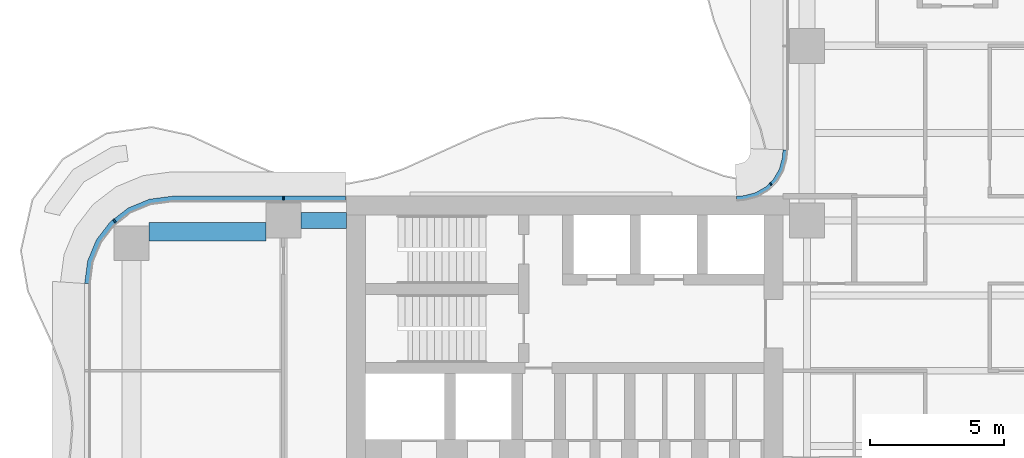
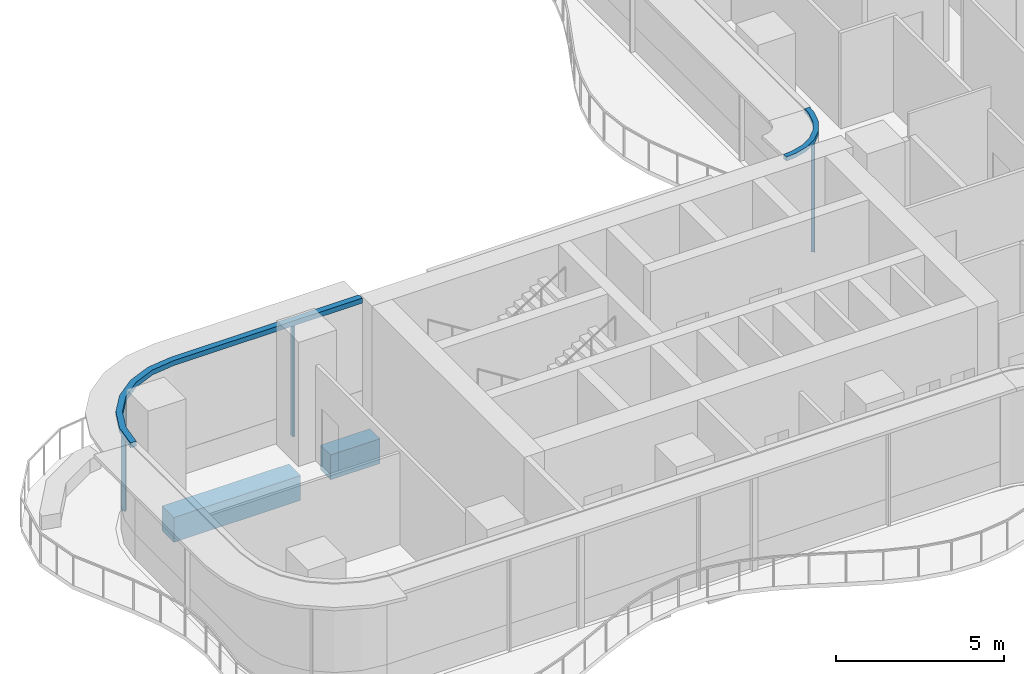
# One storey, part 8 of 21: 5 members, 2 beams, 2 elements without a shape of their own.
"""IFC4 building model written with IfcOpenShell, lengths in metres."""

import ifcopenshell
import ifcopenshell.guid

model = None  # the IFC model being written
_history = None  # IfcOwnerHistory: only IFC2X3 demands one
_inside = {}  # id of a spatial element -> (the spatial element, [elements in it])
_under = {}  # id of a project, library or spatial element -> (it, [spatial elements below it])
_declared = {}  # id of a project -> (the project, [libraries it declares])
_typed = {}  # id of a type object -> (the type object, [elements of that type])
_made_of = {}  # id of a material, layer set ... -> (it, [elements and type objects made of it])


def new_model(schema):
    """Start an empty IFC model of exactly this schema.

    Asked for "IFC4X3", IfcOpenShell would pick the latest addendum, in which some entities
    have other attributes; the version numbers below select the first issue.
    IFC2X3 requires an IfcOwnerHistory on every rooted entity: one is made here for all.
    """
    global model, _history
    if schema == "IFC4X3":
        model = ifcopenshell.file(schema_version=(4, 3, 0, 0))
    else:
        model = ifcopenshell.file(schema=schema)
    _inside.clear()
    _under.clear()
    _declared.clear()
    _typed.clear()
    _made_of.clear()
    _history = None
    if model.schema == "IFC2X3":
        org = make("IfcOrganization", Name="unknown")
        user = make(
            "IfcPersonAndOrganization",
            ThePerson=make("IfcPerson", FamilyName="unknown"),
            TheOrganization=org,
        )
        app = make(
            "IfcApplication",
            ApplicationDeveloper=org,
            Version="unknown",
            ApplicationFullName="unknown",
            ApplicationIdentifier="unknown",
        )
        _history = make(
            "IfcOwnerHistory",
            OwningUser=user,
            OwningApplication=app,
            ChangeAction="ADDED",
            CreationDate=0,
        )
    return model


def make(cls, **values):
    """One entity of the class cls with the attributes given. An attribute that is None is left unset."""
    return model.create_entity(
        cls, **{name: value for name, value in values.items() if value is not None}
    )


def rooted(cls, **values):
    """An entity with a GlobalId (a new one), such as an element, a storey or a relation."""
    return make(cls, GlobalId=ifcopenshell.guid.new(), OwnerHistory=_history, **values)


def si_unit(unit_type, name, prefix=None):
    """IfcSIUnit, for example si_unit("LENGTHUNIT", "METRE", prefix="MILLI")."""
    return make("IfcSIUnit", UnitType=unit_type, Prefix=prefix, Name=name)


def assignment(units):
    """IfcUnitAssignment: the units of a project."""
    return None if units is None else make("IfcUnitAssignment", Units=units)


def point(xyz):
    """IfcCartesianPoint."""
    return None if xyz is None else make("IfcCartesianPoint", Coordinates=xyz)


def direction(xyz):
    """IfcDirection."""
    return None if xyz is None else make("IfcDirection", DirectionRatios=xyz)


def frame(location, z_axis=None, x_axis=None):
    """IfcAxis2Placement3D, a coordinate frame: its origin and axes. An axis left out is left unset."""
    return make(
        "IfcAxis2Placement3D",
        Location=point(location),
        Axis=direction(z_axis),
        RefDirection=direction(x_axis),
    )


def frame_2d(location, x_axis=None):
    """IfcAxis2Placement2D, a coordinate frame in the plane: its origin and x axis."""
    return make(
        "IfcAxis2Placement2D", Location=point(location), RefDirection=direction(x_axis)
    )


def origin():
    """The frame at (0, 0, 0) with its axes left unset."""
    return frame((0.0, 0.0, 0.0))


def origin_2d():
    """The frame at (0, 0) in the plane with its x axis left unset."""
    return frame_2d((0.0, 0.0))


def place(relative_to, where):
    """IfcLocalPlacement: puts the frame where relative to a parent placement (None: the world)."""
    return make(
        "IfcLocalPlacement", PlacementRelTo=relative_to, RelativePlacement=where
    )


def context(
    kind, dimensions, precision=None, world=None, true_north=None, identifier=None
):
    """IfcGeometricRepresentationContext, for example the 3D "Model" context."""
    return make(
        "IfcGeometricRepresentationContext",
        ContextIdentifier=identifier,
        ContextType=kind,
        CoordinateSpaceDimension=dimensions,
        Precision=precision,
        WorldCoordinateSystem=world,
        TrueNorth=true_north,
    )


def subcontext(parent, identifier, kind, view, scale=None):
    """IfcGeometricRepresentationSubContext, for example "Body" below "Model"."""
    return make(
        "IfcGeometricRepresentationSubContext",
        ContextIdentifier=identifier,
        ContextType=kind,
        ParentContext=parent,
        TargetScale=scale,
        TargetView=view,
    )


def project(units=None, contexts=None):
    """IfcProject with its units and contexts."""
    return rooted(
        "IfcProject",
        Name="project",
        RepresentationContexts=contexts,
        UnitsInContext=assignment(units),
    )


def spatial(cls, under=None, at=None, **own):
    """A site, building, storey or space (cls), placed at a placement, below another one or the project."""
    s = rooted(cls, ObjectPlacement=at, **own)
    if under is not None:
        _under.setdefault(under.id(), (under, []))[1].append(s)
    return s


def polyline(points):
    """IfcPolyline through the points."""
    return make("IfcPolyline", Points=[point(p) for p in points])


def profile(cls, at=None, kind="AREA", **sizes):
    """A parametric profile (cls). Its sizes go by their IFC names, for example OverallWidth=200.0."""
    return make(cls, ProfileType=kind, Position=at, **sizes)


def rectangle(**sizes):
    """IfcRectangleProfileDef."""
    return profile("IfcRectangleProfileDef", **sizes)


def outline(outer, holes=None, kind="AREA"):
    """IfcArbitraryClosedProfileDef: a profile drawn as a closed curve; with holes, ...WithVoids."""
    if holes is None:
        return make("IfcArbitraryClosedProfileDef", ProfileType=kind, OuterCurve=outer)
    return make(
        "IfcArbitraryProfileDefWithVoids",
        ProfileType=kind,
        OuterCurve=outer,
        InnerCurves=holes,
    )


def extrude(swept, where, along, depth):
    """IfcExtrudedAreaSolid: the profile swept, set in the frame where, extruded along a direction by depth."""
    return make(
        "IfcExtrudedAreaSolid",
        SweptArea=swept,
        Position=where,
        ExtrudedDirection=direction(along),
        Depth=depth,
    )


def shape(context_of_items, identifier, shape_type, items):
    """IfcShapeRepresentation: the items that make up one representation, for example the "Body"."""
    return make(
        "IfcShapeRepresentation",
        ContextOfItems=context_of_items,
        RepresentationIdentifier=identifier,
        RepresentationType=shape_type,
        Items=items,
    )


def source(mapping_origin, context_of_items, identifier, shape_type, items):
    """IfcRepresentationMap: a shape defined once, which mapped items show again and again."""
    return make(
        "IfcRepresentationMap",
        MappingOrigin=mapping_origin,
        MappedRepresentation=shape(context_of_items, identifier, shape_type, items),
    )


def transform(
    local_origin,
    x_axis=None,
    y_axis=None,
    z_axis=None,
    scale=None,
    scale2=None,
    scale3=None,
    uniform=True,
):
    """IfcCartesianTransformationOperator3D, or its non-uniform kind. x_axis, y_axis, z_axis: its Axis1, 2, 3."""
    if uniform:
        return make(
            "IfcCartesianTransformationOperator3D",
            Axis1=direction(x_axis),
            Axis2=direction(y_axis),
            LocalOrigin=point(local_origin),
            Scale=scale,
            Axis3=direction(z_axis),
        )
    return make(
        "IfcCartesianTransformationOperator3DnonUniform",
        Axis1=direction(x_axis),
        Axis2=direction(y_axis),
        LocalOrigin=point(local_origin),
        Scale=scale,
        Axis3=direction(z_axis),
        Scale2=scale2,
        Scale3=scale3,
    )


def mapped(mapping_source, mapping_target):
    """IfcMappedItem: shows the shape of a source again, moved by a transform."""
    return make(
        "IfcMappedItem", MappingSource=mapping_source, MappingTarget=mapping_target
    )


def material(Name=None, Category=None):
    """IfcMaterial."""
    return make("IfcMaterial", Name=Name, Category=Category)


def layer(
    of_material, thickness, ventilated=None, Name=None, Category=None, Priority=None
):
    """IfcMaterialLayer: one layer of a wall or slab, of a material (None: an air gap)."""
    return make(
        "IfcMaterialLayer",
        Material=of_material,
        LayerThickness=thickness,
        IsVentilated=ventilated,
        Name=Name,
        Category=Category,
        Priority=Priority,
    )


def layer_set(layers, Name=None):
    """IfcMaterialLayerSet."""
    return make("IfcMaterialLayerSet", MaterialLayers=layers, LayerSetName=Name)


def material_profile(
    of_material, cross_section, Name=None, Category=None, Priority=None
):
    """IfcMaterialProfile: a cross section and its material."""
    return make(
        "IfcMaterialProfile",
        Name=Name,
        Material=of_material,
        Profile=cross_section,
        Priority=Priority,
        Category=Category,
    )


def profile_set(profiles, Name=None, composite=None):
    """IfcMaterialProfileSet."""
    return make(
        "IfcMaterialProfileSet",
        Name=Name,
        MaterialProfiles=profiles,
        CompositeProfile=composite,
    )


def made_of(thing, what):
    """Note that an element or type object is made of a material, layer set ...; save() writes the relation."""
    if what is not None:
        _made_of.setdefault(what.id(), (what, []))[1].append(thing)
    return thing


def type_object(cls, material=None, **own):
    """A type object (cls), such as IfcWallType, which elements share."""
    return made_of(rooted(cls, **own), material)


def element(
    cls,
    number,
    at=None,
    inside=None,
    cuts=None,
    type_object=None,
    material=None,
    context=None,
    identifier="Body",
    shape_type=None,
    held_by="IfcProductDefinitionShape",
    body=None,
    shapes=None,
    **own,
):
    """One element of the class cls, such as IfcWall. Its Tag is "e" and its number.

    at: its placement. inside: the storey or other place that contains it. cuts: it is an
    opening in that element (IfcRelVoidsElement). A single representation is given by context,
    identifier, shape_type and body (its items); several are given by shapes. held_by: the class
    of the entity that holds the representations. save() writes the other relations.
    """
    e = rooted(cls, Tag="e%d" % number, ObjectPlacement=at, **own)
    if body is not None:
        shapes = [shape(context, identifier, shape_type, body)]
    if shapes is not None:
        e.Representation = make(held_by, Representations=shapes)
    if inside is not None:
        _inside.setdefault(inside.id(), (inside, []))[1].append(e)
    if cuts is not None:
        rooted(
            "IfcRelVoidsElement", RelatingBuildingElement=cuts, RelatedOpeningElement=e
        )
    if type_object is not None:
        _typed.setdefault(type_object.id(), (type_object, []))[1].append(e)
    return made_of(e, material)


def aggregate(whole, parts):
    """IfcRelAggregates: a whole, such as a stair, and the parts it consists of."""
    return rooted("IfcRelAggregates", RelatingObject=whole, RelatedObjects=parts)


def save(model, path):
    """Write the relations noted so far, then the file.

    IfcRelAggregates (storeys below a building ...), IfcRelContainedInSpatialStructure (elements
    in a storey), IfcRelDefinesByType, IfcRelAssociatesMaterial and IfcRelDeclares: one each for
    every whole, place, type object, material and project.
    """
    for whole, parts in _under.values():
        aggregate(whole, parts)
    for where, things in _inside.values():
        rooted(
            "IfcRelContainedInSpatialStructure",
            RelatedElements=things,
            RelatingStructure=where,
        )
    for kind, things in _typed.values():
        rooted("IfcRelDefinesByType", RelatedObjects=things, RelatingType=kind)
    for what, things in _made_of.values():
        rooted("IfcRelAssociatesMaterial", RelatedObjects=things, RelatingMaterial=what)
    for by, libraries in _declared.values():
        rooted("IfcRelDeclares", RelatingContext=by, RelatedDefinitions=libraries)
    model.write(path)


model = new_model("IFC4")

# Units and contexts
model_context = context("Model", 3, precision=1e-05, world=origin(), true_north=direction((0.0, 1.0)))
body_context = subcontext(model_context, "Body", "Model", "MODEL_VIEW")
ifc_project = project(units=[si_unit("LENGTHUNIT", "METRE"), si_unit("AREAUNIT", "SQUARE_METRE"), si_unit("VOLUMEUNIT", "CUBIC_METRE"), si_unit("PLANEANGLEUNIT", "RADIAN"), si_unit("MASSUNIT", "GRAM", prefix="KILO")], contexts=[model_context])

# Site, building, storey
site_placement = place(None, origin())
site = spatial("IfcSite", under=ifc_project, at=site_placement, CompositionType="ELEMENT")
building_placement = place(site_placement, origin())
building = spatial("IfcBuilding", under=site, at=building_placement, Name="Trellis Farm Tower", CompositionType="ELEMENT")
storey_placement = place(building_placement, frame((0.0, 0.0, 147.0)))
storey = spatial("IfcBuildingStorey", under=building, at=storey_placement, Name="L31", CompositionType="ELEMENT", Elevation=147.0)

# Beams
ifc_material_1 = material(Name="Concrete C60/75", Category="concrete")
ifc_material_profile_1 = material_profile(ifc_material_1, rectangle(XDim=0.60009765625, YDim=0.89990234375, at=origin_2d()), Name="RC spandrel beam 600x900 C60/75")
ifc_profile_set_1 = profile_set([ifc_material_profile_1], Name="Concrete C60/75")
beam_type_1 = type_object("IfcBeamType", Name="RC spandrel beam 600x900 C60/75", PredefinedType="SPANDREL", material=ifc_profile_set_1)
shared_shape_1 = source(origin(), body_context, "Body", "SweptSolid", [
    extrude(rectangle(XDim=0.60009765625, YDim=0.89990234375, at=origin_2d()), origin(), (0.0, 0.0, 1.0), 1.699951171875),
])
beam_1_placement = place(storey_placement, frame((-24.449951171875, 5.60009765625, -0.699951171875), z_axis=(1.0, 0.0, 0.0), x_axis=(0.0, 1.0, 0.0)))
element("IfcBeam", 1, at=beam_1_placement, inside=storey, type_object=beam_type_1, Name="Girder", PredefinedType="SPANDREL", context=body_context, shape_type="MappedRepresentation", body=[
    mapped(shared_shape_1, transform((0.0, 0.0, 0.0))),
])
ifc_material_profile_2 = material_profile(ifc_material_1, rectangle(XDim=0.699951171875, YDim=0.89990234375, at=origin_2d()), Name="RC spandrel beam 700x900 C60/75")
ifc_profile_set_2 = profile_set([ifc_material_profile_2], Name="Concrete C60/75")
beam_type_2 = type_object("IfcBeamType", Name="RC spandrel beam 700x900 C60/75", PredefinedType="SPANDREL", material=ifc_profile_set_2)
shared_shape_2 = source(origin(), body_context, "Body", "SweptSolid", [
    extrude(rectangle(XDim=0.699951171875, YDim=0.89990234375, at=origin_2d()), origin(), (0.0, 0.0, 1.0), 4.35009765625),
])
beam_2_placement = place(storey_placement, frame((-30.10009765625, 5.175048828125, -0.699951171875), z_axis=(1.0, 0.0, 0.0), x_axis=(0.0, 1.0, 0.0)))
element("IfcBeam", 2, at=beam_2_placement, inside=storey, type_object=beam_type_2, Name="Girder", PredefinedType="SPANDREL", context=body_context, shape_type="MappedRepresentation", body=[
    mapped(shared_shape_2, transform((0.0, 0.0, 0.0))),
])

# Curtain wall, members
ifc_material_2 = material(Name="Aluminium and glass curtain wall", Category="aluminium")
ifc_layer_1 = layer(ifc_material_2, 0.18994140625)
ifc_layer_set_1 = layer_set([ifc_layer_1], Name="RIBBON CURTAIN WALL CW1")
curtain_wall_type_1 = type_object("IfcCurtainWallType", Name="RIBBON CURTAIN WALL CW1", PredefinedType="NOTDEFINED", material=ifc_layer_set_1)
placement = place(storey_placement, origin())
curtain_wall_1 = element("IfcCurtainWall", 3, at=placement, inside=storey, type_object=curtain_wall_type_1, Name="CW1 012", PredefinedType="NOTDEFINED")
ifc_material_3 = material(Name="Aluminium extrusion 6063-T6", Category="aluminium")
ifc_material_profile_3 = material_profile(ifc_material_3, rectangle(XDim=0.06005859375, YDim=0.14990234375, at=origin_2d()), Name="MULLION 60x150")
ifc_profile_set_3 = profile_set([ifc_material_profile_3], Name="Aluminium extrusion 6063-T6")
member_type_1 = type_object("IfcMemberType", Name="CW1 MULLION 60x150", PredefinedType="MULLION", material=ifc_profile_set_3)
shared_shape_3 = source(origin(), body_context, "Body", "SweptSolid", [
    extrude(rectangle(XDim=0.06005859375, YDim=0.14990234375, at=origin_2d()), origin(), (0.0, 0.0, 1.0), 4.070068359375),
])
member_1_placement = place(storey_placement, frame((-25.10009765625, 6.425048828125, 0.0), z_axis=(0.0, 0.0, 1.0), x_axis=(-1.0, 0.0, 0.0)))
member_1 = element("IfcMember", 4, at=member_1_placement, type_object=member_type_1, Name="MU1 012-01", PredefinedType="MULLION", context=body_context, shape_type="MappedRepresentation", body=[
    mapped(shared_shape_3, transform((0.0, 0.0, 0.0))),
])
member_2_placement = place(storey_placement, frame((-31.385498046875, 5.578369140625, 0.0), z_axis=(0.0, 0.0, 1.0), x_axis=(-0.793353340291, -0.608761429009, 0.0)))
member_2 = element("IfcMember", 5, at=member_2_placement, type_object=member_type_1, Name="MU1 012-02", PredefinedType="MULLION", context=body_context, shape_type="MappedRepresentation", body=[
    mapped(shared_shape_3, transform((0.0, 0.0, 0.0))),
])

ifc_layer_2 = layer(ifc_material_2, 0.166015625)
ifc_layer_set_2 = layer_set([ifc_layer_2], Name="WINTER GARDEN CURTAIN WALL CW3")
curtain_wall_type_2 = type_object("IfcCurtainWallType", Name="WINTER GARDEN CURTAIN WALL CW3", PredefinedType="NOTDEFINED", material=ifc_layer_set_2)
curtain_wall_2 = element("IfcCurtainWall", 6, at=placement, inside=storey, type_object=curtain_wall_type_2, Name="CW3 004", PredefinedType="NOTDEFINED")
ifc_material_profile_4 = material_profile(ifc_material_3, rectangle(XDim=0.050048828125, YDim=0.1201171875, at=origin_2d()), Name="MULLION 50x120")
ifc_profile_set_4 = profile_set([ifc_material_profile_4], Name="Aluminium extrusion 6063-T6")
member_type_2 = type_object("IfcMemberType", Name="CW3 MULLION 50x120", PredefinedType="MULLION", material=ifc_profile_set_4)
shared_shape_4 = source(origin(), body_context, "Body", "SweptSolid", [
    extrude(rectangle(XDim=0.050048828125, YDim=0.1201171875, at=origin_2d()), origin(), (0.0, 0.0, 1.0), 4.10009765625),
])
member_3_placement = place(storey_placement, frame((-6.953125, 6.953125, 0.0), z_axis=(0.0, 0.0, 1.0), x_axis=(-0.707106781187, -0.707106781187, 0.0)))
member_3 = element("IfcMember", 7, at=member_3_placement, type_object=member_type_2, Name="MU3 004-01", PredefinedType="MULLION", context=body_context, shape_type="MappedRepresentation", body=[
    mapped(shared_shape_4, transform((0.0, 0.0, 0.0))),
])
ifc_layer_3 = layer(ifc_material_3, 0.169921875)
ifc_layer_set_3 = layer_set([ifc_layer_3], Name="Aluminium extrusion 6063-T6")
member_type_3 = type_object("IfcMemberType", Name="CW3 TRANSOM 170x150", PredefinedType="USERDEFINED", material=ifc_layer_set_3)
shared_shape_5 = source(origin(), body_context, "Body", "SweptSolid", [
    extrude(outline(polyline([(-6.5, 8.2314453125), (-6.513916015625, 8.01953125), (-6.527587890625, 7.91552734375), (-6.63671875, 7.508544921875), (-6.846923828125, 7.144287109375), (-7.144287109375, 6.846923828125), (-7.508544921875, 6.63671875), (-7.91552734375, 6.527587890625), (-8.01953125, 6.513916015625), (-8.2314453125, 6.5), (-8.225830078125, 6.330078125), (-8.0029296875, 6.3447265625), (-7.88232421875, 6.360595703125), (-7.44287109375, 6.478271484375), (-7.0400390625, 6.7109375), (-6.7109375, 7.0400390625), (-6.478271484375, 7.44287109375), (-6.360595703125, 7.88232421875), (-6.3447265625, 8.0029296875), (-6.330078125, 8.225830078125), (-6.5, 8.2314453125)])), origin(), (0.0, 0.0, 1.0), 0.14990234375),
])
member_4_placement = place(storey_placement, frame((0.0, 0.0, 4.10009765625)))
member_4 = element("IfcMember", 8, at=member_4_placement, type_object=member_type_3, Name="TR3 004", ObjectType="TRANSOM", PredefinedType="USERDEFINED", context=body_context, shape_type="MappedRepresentation", body=[
    mapped(shared_shape_5, transform((0.0, 0.0, 0.0))),
])
aggregate(curtain_wall_2, [member_3, member_4])

# Member
ifc_layer_4 = layer(ifc_material_3, 0.199951171875)
ifc_layer_set_4 = layer_set([ifc_layer_4], Name="Aluminium extrusion 6063-T6")
member_type_4 = type_object("IfcMemberType", Name="CW1 TRANSOM 200x180", PredefinedType="USERDEFINED", material=ifc_layer_set_4)
shared_shape_6 = source(origin(), body_context, "Body", "SweptSolid", [
    extrude(outline(polyline([(-22.780029296875, 6.5), (-29.25, 6.5), (-30.091064453125, 6.38916015625), (-30.875, 6.064697265625), (-31.548095703125, 5.548095703125), (-32.064697265625, 4.875), (-32.38916015625, 4.091064453125), (-32.5, 3.25), (-32.300048828125, 3.23681640625), (-32.1943359375, 4.0390625), (-31.889892578125, 4.774169921875), (-31.405517578125, 5.405517578125), (-30.774169921875, 5.889892578125), (-30.0390625, 6.1943359375), (-29.23681640625, 6.300048828125), (-22.780029296875, 6.300048828125), (-22.780029296875, 6.5)])), origin(), (0.0, 0.0, 1.0), 0.179931640625),
])
member_5_placement = place(storey_placement, frame((0.0, 0.0, 4.070068359375)))
member_5 = element("IfcMember", 9, at=member_5_placement, type_object=member_type_4, Name="TR1 012", ObjectType="TRANSOM", PredefinedType="USERDEFINED", context=body_context, shape_type="MappedRepresentation", body=[
    mapped(shared_shape_6, transform((0.0, 0.0, 0.0))),
])

aggregate(curtain_wall_1, [member_1, member_2, member_5])

save(model, "model.ifc")
